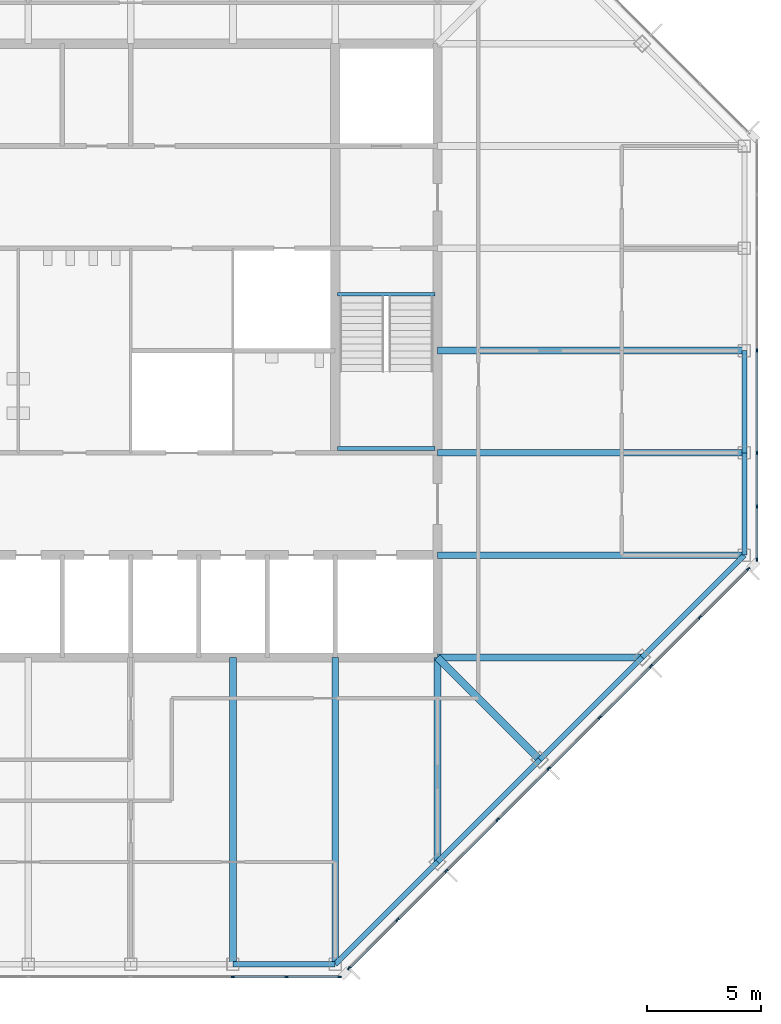
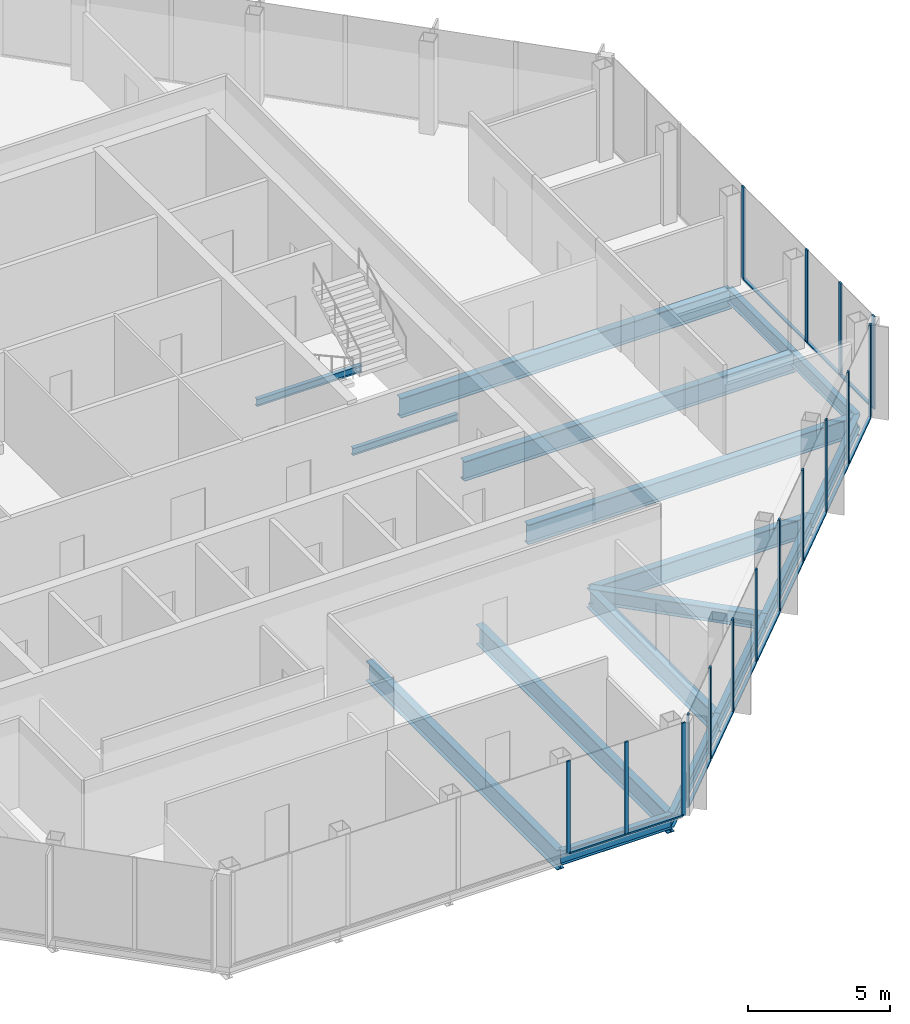
# One storey, part 4 of 14: 29 members, 17 beams, 3 elements without a shape of their own.
"""IFC4 building model written with IfcOpenShell, lengths in metres."""

from ifc_helpers import new_model, si_unit, direction, frame, origin, origin_2d, place, context, subcontext, project, spatial, rectangle, i_section, extrude, material, material_profile, profile_set, type_object, element, aggregate, save


model = new_model("IFC4")

# Units and contexts
model_context = context("Model", 3, precision=1e-05, world=origin(), true_north=direction((0.0, 1.0)))
body_context = subcontext(model_context, "Body", "Model", "MODEL_VIEW")
ifc_project = project(units=[si_unit("LENGTHUNIT", "METRE"), si_unit("AREAUNIT", "SQUARE_METRE"), si_unit("VOLUMEUNIT", "CUBIC_METRE"), si_unit("PLANEANGLEUNIT", "RADIAN"), si_unit("MASSUNIT", "GRAM", prefix="KILO")], contexts=[model_context])

# Site, building, storey
site_placement = place(None, origin())
site = spatial("IfcSite", under=ifc_project, at=site_placement, CompositionType="ELEMENT")
building_placement = place(site_placement, origin())
building = spatial("IfcBuilding", under=site, at=building_placement, Name="Corais Broadcast Tower", CompositionType="ELEMENT")
storey_placement = place(building_placement, frame((0.0, 0.0, 294.60009765625)))
storey = spatial("IfcBuildingStorey", under=building, at=storey_placement, Name="L69", CompositionType="ELEMENT", Elevation=294.60009765625)

# Beams
ifc_material_1 = material(Name="Steel ASTM A572 Grade 50", Category="steel")
ifc_material_profile_1 = material_profile(ifc_material_1, i_section(OverallWidth=0.323974609375, OverallDepth=0.611083984375, WebThickness=0.0126953125, FlangeThickness=0.01904296875, at=origin_2d()), Name="W610x155")
ifc_profile_set_1 = profile_set([ifc_material_profile_1], Name="Steel ASTM A572 Grade 50")
beam_type_1 = type_object("IfcBeamType", Name="Corner diagonal W610x155", PredefinedType="BEAM", material=ifc_profile_set_1)
beam_1_placement = place(storey_placement, frame((45.0, 9.0, -0.465576171875), z_axis=(-0.707106781187, 0.707106781187, 0.0), x_axis=(-0.707106781187, -0.707106781187, 0.0)))
element("IfcBeam", 1, at=beam_1_placement, inside=storey, type_object=beam_type_1, Name="B6 C/13 to D/12", PredefinedType="BEAM", context=body_context, shape_type="SweptSolid", body=[
    extrude(i_section(OverallWidth=0.323974609375, OverallDepth=0.611083984375, WebThickness=0.0126953125, FlangeThickness=0.01904296875, at=origin_2d()), origin(), (0.0, 0.0, 1.0), 6.364013671875),
])
ifc_material_2 = material(Name="Steel ASTM A572 Grade 50", Category="steel")
ifc_material_profile_2 = material_profile(ifc_material_2, i_section(OverallWidth=0.2939453125, OverallDepth=0.85107421875, WebThickness=0.01611328125, FlangeThickness=0.02685546875, at=origin_2d()), Name="W840x226")
ifc_profile_set_2 = profile_set([ifc_material_profile_2], Name="Steel ASTM A572 Grade 50")
beam_type_2 = type_object("IfcBeamType", Name="Floor beam W840x226", PredefinedType="BEAM", material=ifc_profile_set_2)
for number, where, z_axis, x_axis, name in (
    (2, (31.5, 0.0, -0.585693359375), (0.0, 1.0, 0.0), (-1.0, 0.0, 0.0), "B1 A/10 to D/10"),
    (3, (36.0, 0.0, -0.585693359375), (0.0, 1.0, 0.0), (-1.0, 0.0, 0.0), "B1 A/11 to D/11"),
):
    element("IfcBeam", number, at=place(storey_placement, frame(where, z_axis=z_axis, x_axis=x_axis)), inside=storey, type_object=beam_type_2, Name=name, PredefinedType="BEAM", context=body_context, shape_type="SweptSolid", body=[
        extrude(i_section(OverallWidth=0.2939453125, OverallDepth=0.85107421875, WebThickness=0.01611328125, FlangeThickness=0.02685546875, at=origin_2d()), origin(), (0.0, 0.0, 1.0), 13.5),
    ])
for number, where, z_axis, x_axis, name in (
    (4, (40.5, 4.5, -0.585693359375), (0.0, 1.0, 0.0), (-1.0, 0.0, 0.0), "B1 B/12 to D/12"),
    (5, (49.5, 13.5, -0.585693359375), (-1.0, 0.0, 0.0), (0.0, -1.0, 0.0), "B1 D/14 to D/12"),
):
    element("IfcBeam", number, at=place(storey_placement, frame(where, z_axis=z_axis, x_axis=x_axis)), inside=storey, type_object=beam_type_2, Name=name, PredefinedType="BEAM", context=body_context, shape_type="SweptSolid", body=[
        extrude(i_section(OverallWidth=0.2939453125, OverallDepth=0.85107421875, WebThickness=0.01611328125, FlangeThickness=0.02685546875, at=origin_2d()), origin(), (0.0, 0.0, 1.0), 9.0),
    ])
for number, where, z_axis, x_axis, name in (
    (6, (54.0, 18.0, -0.585693359375), (-1.0, 0.0, 0.0), (0.0, -1.0, 0.0), "B1 E/15 to E/12"),
    (7, (54.0, 22.5, -0.585693359375), (-1.0, 0.0, 0.0), (0.0, -1.0, 0.0), "B1 F/15 to F/12"),
    (8, (54.0, 27.0, -0.585693359375), (-1.0, 0.0, 0.0), (0.0, -1.0, 0.0), "B1 G/15 to G/12"),
):
    element("IfcBeam", number, at=place(storey_placement, frame(where, z_axis=z_axis, x_axis=x_axis)), inside=storey, type_object=beam_type_2, Name=name, PredefinedType="BEAM", context=body_context, shape_type="SweptSolid", body=[
        extrude(i_section(OverallWidth=0.2939453125, OverallDepth=0.85107421875, WebThickness=0.01611328125, FlangeThickness=0.02685546875, at=origin_2d()), origin(), (0.0, 0.0, 1.0), 13.5),
    ])
ifc_material_3 = material(Name="Steel ASTM A572 Grade 50", Category="steel")
ifc_material_profile_3 = material_profile(ifc_material_3, i_section(OverallWidth=0.1650390625, OverallDepth=0.31005859375, WebThickness=0.005859375, FlangeThickness=0.009765625, at=origin_2d()), Name="W310x38.7")
ifc_profile_set_3 = profile_set([ifc_material_profile_3], Name="Steel ASTM A572 Grade 50")
beam_type_3 = type_object("IfcBeamType", Name="Landing trimmer W310x38.7", PredefinedType="BEAM", material=ifc_profile_set_3)
for number, where, z_axis, x_axis, name in (
    (9, (36.10009765625, 29.47509765625, -0.35498046875), (1.0, 0.0, 0.0), (0.0, 1.0, 0.0), "LT1 stair B landing trimmer L69"),
    (10, (36.10009765625, 22.68994140625, 1.64501953125), (1.0, 0.0, 0.0), (0.0, 1.0, 0.0), "LT1 stair B half landing trimmer L69"),
):
    element("IfcBeam", number, at=place(storey_placement, frame(where, z_axis=z_axis, x_axis=x_axis)), inside=storey, type_object=beam_type_3, Name=name, PredefinedType="BEAM", context=body_context, shape_type="SweptSolid", body=[
        extrude(i_section(OverallWidth=0.1650390625, OverallDepth=0.31005859375, WebThickness=0.005859375, FlangeThickness=0.009765625, at=origin_2d()), origin(), (0.0, 0.0, 1.0), 4.2998046875),
    ])

# Curtain wall, members
ifc_material_4 = material(Name="Aluminium and glass", Category="aluminium")
curtain_wall_type = type_object("IfcCurtainWallType", Name="Unitised fritted curtain wall CW3", PredefinedType="NOTDEFINED", material=ifc_material_4)
curtain_wall_1_placement = place(storey_placement, origin())
curtain_wall_1 = element("IfcCurtainWall", 11, at=curtain_wall_1_placement, inside=storey, type_object=curtain_wall_type, Name="CW3 curtain wall L69 6", PredefinedType="NOTDEFINED")
ifc_material_5 = material(Name="Aluminium 6063-T6", Category="aluminium")
ifc_material_profile_4 = material_profile(ifc_material_5, rectangle(XDim=0.06494140625, YDim=0.159912109375, at=origin_2d()), Name="Mullion CW3 65x160")
ifc_profile_set_4 = profile_set([ifc_material_profile_4], Name="Aluminium 6063-T6")
member_type_1 = type_object("IfcMemberType", Name="Mullion CW3 65x160", PredefinedType="MULLION", material=ifc_profile_set_4)
member_1_placement = place(storey_placement, frame((54.550048828125, 27.0, 0.0), z_axis=(0.0, 0.0, 1.0), x_axis=(1.0, 0.0, 0.0)))
member_1 = element("IfcMember", 12, at=member_1_placement, type_object=member_type_1, Name="CW3 mullion 4", PredefinedType="MULLION", context=body_context, shape_type="SweptSolid", body=[
    extrude(rectangle(XDim=0.06494140625, YDim=0.159912109375, at=origin_2d()), origin(), (0.0, 0.0, 1.0), 4.0),
])
member_2_placement = place(storey_placement, frame((54.550048828125, 22.5, 0.0), z_axis=(0.0, 0.0, 1.0), x_axis=(1.0, 0.0, 0.0)))
member_2 = element("IfcMember", 13, at=member_2_placement, type_object=member_type_1, Name="CW3 mullion 5", PredefinedType="MULLION", context=body_context, shape_type="SweptSolid", body=[
    extrude(rectangle(XDim=0.06494140625, YDim=0.159912109375, at=origin_2d()), origin(), (0.0, 0.0, 1.0), 4.0),
])
member_3_placement = place(storey_placement, frame((54.550048828125, 20.135986328125, 0.0), z_axis=(0.0, 0.0, 1.0), x_axis=(1.0, 0.0, 0.0)))
member_3 = element("IfcMember", 14, at=member_3_placement, type_object=member_type_1, Name="CW3 mullion 6", PredefinedType="MULLION", context=body_context, shape_type="SweptSolid", body=[
    extrude(rectangle(XDim=0.06494140625, YDim=0.159912109375, at=origin_2d()), origin(), (0.0, 0.0, 1.0), 4.0),
])
member_4_placement = place(storey_placement, frame((54.550048828125, 17.8046875, 0.0), z_axis=(0.0, 0.0, 1.0), x_axis=(1.0, 0.0, 0.0)))
member_4 = element("IfcMember", 15, at=member_4_placement, type_object=member_type_1, Name="CW3 mullion 7", PredefinedType="MULLION", context=body_context, shape_type="SweptSolid", body=[
    extrude(rectangle(XDim=0.06494140625, YDim=0.159912109375, at=origin_2d()), origin(), (0.0, 0.0, 1.0), 4.0),
])

curtain_wall_2_placement = place(storey_placement, origin())
curtain_wall_2 = element("IfcCurtainWall", 16, at=curtain_wall_2_placement, inside=storey, type_object=curtain_wall_type, Name="CW3 curtain wall L69 7", PredefinedType="NOTDEFINED")
member_5_placement = place(storey_placement, frame((54.17333984375, 17.3955078125, 0.0), z_axis=(0.0, 0.0, 1.0), x_axis=(0.707106781187, -0.707106781187, 0.0)))
member_5 = element("IfcMember", 17, at=member_5_placement, type_object=member_type_1, Name="CW3 mullion 1", PredefinedType="MULLION", context=body_context, shape_type="SweptSolid", body=[
    extrude(rectangle(XDim=0.06494140625, YDim=0.159912109375, at=origin_2d()), origin(), (0.0, 0.0, 1.0), 4.0),
])
member_6_placement = place(storey_placement, frame((52.042724609375, 15.264892578125, 0.0), z_axis=(0.0, 0.0, 1.0), x_axis=(0.707106781187, -0.707106781187, 0.0)))
member_6 = element("IfcMember", 18, at=member_6_placement, type_object=member_type_1, Name="CW3 mullion 2", PredefinedType="MULLION", context=body_context, shape_type="SweptSolid", body=[
    extrude(rectangle(XDim=0.06494140625, YDim=0.159912109375, at=origin_2d()), origin(), (0.0, 0.0, 1.0), 4.0),
])
member_7_placement = place(storey_placement, frame((49.888916015625, 13.111083984375, 0.0), z_axis=(0.0, 0.0, 1.0), x_axis=(0.707106781187, -0.707106781187, 0.0)))
member_7 = element("IfcMember", 19, at=member_7_placement, type_object=member_type_1, Name="CW3 mullion 3", PredefinedType="MULLION", context=body_context, shape_type="SweptSolid", body=[
    extrude(rectangle(XDim=0.06494140625, YDim=0.159912109375, at=origin_2d()), origin(), (0.0, 0.0, 1.0), 4.0),
])
member_8_placement = place(storey_placement, frame((47.638916015625, 10.861083984375, 0.0), z_axis=(0.0, 0.0, 1.0), x_axis=(0.707106781187, -0.707106781187, 0.0)))
member_8 = element("IfcMember", 20, at=member_8_placement, type_object=member_type_1, Name="CW3 mullion 4", PredefinedType="MULLION", context=body_context, shape_type="SweptSolid", body=[
    extrude(rectangle(XDim=0.06494140625, YDim=0.159912109375, at=origin_2d()), origin(), (0.0, 0.0, 1.0), 4.0),
])
member_9_placement = place(storey_placement, frame((45.388916015625, 8.611083984375, 0.0), z_axis=(0.0, 0.0, 1.0), x_axis=(0.707106781187, -0.707106781187, 0.0)))
member_9 = element("IfcMember", 21, at=member_9_placement, type_object=member_type_1, Name="CW3 mullion 5", PredefinedType="MULLION", context=body_context, shape_type="SweptSolid", body=[
    extrude(rectangle(XDim=0.06494140625, YDim=0.159912109375, at=origin_2d()), origin(), (0.0, 0.0, 1.0), 4.0),
])
member_10_placement = place(storey_placement, frame((43.138916015625, 6.361083984375, 0.0), z_axis=(0.0, 0.0, 1.0), x_axis=(0.707106781187, -0.707106781187, 0.0)))
member_10 = element("IfcMember", 22, at=member_10_placement, type_object=member_type_1, Name="CW3 mullion 6", PredefinedType="MULLION", context=body_context, shape_type="SweptSolid", body=[
    extrude(rectangle(XDim=0.06494140625, YDim=0.159912109375, at=origin_2d()), origin(), (0.0, 0.0, 1.0), 4.0),
])
member_11_placement = place(storey_placement, frame((40.888916015625, 4.111083984375, 0.0), z_axis=(0.0, 0.0, 1.0), x_axis=(0.707106781187, -0.707106781187, 0.0)))
member_11 = element("IfcMember", 23, at=member_11_placement, type_object=member_type_1, Name="CW3 mullion 7", PredefinedType="MULLION", context=body_context, shape_type="SweptSolid", body=[
    extrude(rectangle(XDim=0.06494140625, YDim=0.159912109375, at=origin_2d()), origin(), (0.0, 0.0, 1.0), 4.0),
])
member_12_placement = place(storey_placement, frame((38.735107421875, 1.957275390625, 0.0), z_axis=(0.0, 0.0, 1.0), x_axis=(0.707106781187, -0.707106781187, 0.0)))
member_12 = element("IfcMember", 24, at=member_12_placement, type_object=member_type_1, Name="CW3 mullion 8", PredefinedType="MULLION", context=body_context, shape_type="SweptSolid", body=[
    extrude(rectangle(XDim=0.06494140625, YDim=0.159912109375, at=origin_2d()), origin(), (0.0, 0.0, 1.0), 4.0),
])
member_13_placement = place(storey_placement, frame((36.6044921875, -0.17333984375, 0.0), z_axis=(0.0, 0.0, 1.0), x_axis=(0.707106781187, -0.707106781187, 0.0)))
member_13 = element("IfcMember", 25, at=member_13_placement, type_object=member_type_1, Name="CW3 mullion 9", PredefinedType="MULLION", context=body_context, shape_type="SweptSolid", body=[
    extrude(rectangle(XDim=0.06494140625, YDim=0.159912109375, at=origin_2d()), origin(), (0.0, 0.0, 1.0), 4.0),
])

curtain_wall_3_placement = place(storey_placement, origin())
curtain_wall_3 = element("IfcCurtainWall", 26, at=curtain_wall_3_placement, inside=storey, type_object=curtain_wall_type, Name="CW3 curtain wall L69 8", PredefinedType="NOTDEFINED")
member_14_placement = place(storey_placement, frame((36.1953125, -0.550048828125, 0.0), z_axis=(0.0, 0.0, 1.0), x_axis=(0.0, -1.0, 0.0)))
member_14 = element("IfcMember", 27, at=member_14_placement, type_object=member_type_1, Name="CW3 mullion 1", PredefinedType="MULLION", context=body_context, shape_type="SweptSolid", body=[
    extrude(rectangle(XDim=0.06494140625, YDim=0.159912109375, at=origin_2d()), origin(), (0.0, 0.0, 1.0), 4.0),
])
member_15_placement = place(storey_placement, frame((33.864013671875, -0.550048828125, 0.0), z_axis=(0.0, 0.0, 1.0), x_axis=(0.0, -1.0, 0.0)))
member_15 = element("IfcMember", 28, at=member_15_placement, type_object=member_type_1, Name="CW3 mullion 2", PredefinedType="MULLION", context=body_context, shape_type="SweptSolid", body=[
    extrude(rectangle(XDim=0.06494140625, YDim=0.159912109375, at=origin_2d()), origin(), (0.0, 0.0, 1.0), 4.0),
])
member_16_placement = place(storey_placement, frame((31.5, -0.550048828125, 0.0), z_axis=(0.0, 0.0, 1.0), x_axis=(0.0, -1.0, 0.0)))
member_16 = element("IfcMember", 29, at=member_16_placement, type_object=member_type_1, Name="CW3 mullion 3", PredefinedType="MULLION", context=body_context, shape_type="SweptSolid", body=[
    extrude(rectangle(XDim=0.06494140625, YDim=0.159912109375, at=origin_2d()), origin(), (0.0, 0.0, 1.0), 4.0),
])

# Beams
ifc_material_6 = material(Name="Steel ASTM A572 Grade 50", Category="steel")
ifc_material_profile_5 = material_profile(ifc_material_6, i_section(OverallWidth=0.22998046875, OverallDepth=0.616943359375, WebThickness=0.01318359375, FlangeThickness=0.022216796875, at=origin_2d()), Name="W610x140")
ifc_profile_set_5 = profile_set([ifc_material_profile_5], Name="Steel ASTM A572 Grade 50")
beam_type_4 = type_object("IfcBeamType", Name="Spandrel W610x140", PredefinedType="BEAM", material=ifc_profile_set_5)
beam_2_placement = place(storey_placement, frame((31.5, 0.0, -0.468505859375), z_axis=(1.0, 0.0, 0.0), x_axis=(0.0, 1.0, 0.0)))
element("IfcBeam", 30, at=beam_2_placement, inside=storey, type_object=beam_type_4, Name="SB3 A/10 to A/11", PredefinedType="BEAM", context=body_context, shape_type="SweptSolid", body=[
    extrude(i_section(OverallWidth=0.22998046875, OverallDepth=0.616943359375, WebThickness=0.01318359375, FlangeThickness=0.022216796875, at=origin_2d()), origin(), (0.0, 0.0, 1.0), 4.5),
])
for number, where, z_axis, x_axis, name in (
    (31, (36.0, 0.0, -0.468505859375), (0.707106781187, 0.707106781187, 0.0), (-0.707106781187, 0.707106781187, 0.0), "SB3 A/11 to B/12"),
    (32, (40.5, 4.5, -0.468505859375), (0.707106781187, 0.707106781187, 0.0), (-0.707106781187, 0.707106781187, 0.0), "SB3 B/12 to C/13"),
    (33, (45.0, 9.0, -0.468505859375), (0.707106781187, 0.707106781187, 0.0), (-0.707106781187, 0.707106781187, 0.0), "SB3 C/13 to D/14"),
    (34, (49.5, 13.5, -0.468505859375), (0.707106781187, 0.707106781187, 0.0), (-0.707106781187, 0.707106781187, 0.0), "SB3 D/14 to E/15"),
):
    element("IfcBeam", number, at=place(storey_placement, frame(where, z_axis=z_axis, x_axis=x_axis)), inside=storey, type_object=beam_type_4, Name=name, PredefinedType="BEAM", context=body_context, shape_type="SweptSolid", body=[
        extrude(i_section(OverallWidth=0.22998046875, OverallDepth=0.616943359375, WebThickness=0.01318359375, FlangeThickness=0.022216796875, at=origin_2d()), origin(), (0.0, 0.0, 1.0), 6.364013671875),
    ])
for number, where, z_axis, x_axis, name in (
    (35, (54.0, 18.0, -0.468505859375), (0.0, 1.0, 0.0), (-1.0, 0.0, 0.0), "SB3 E/15 to F/15"),
    (36, (54.0, 22.5, -0.468505859375), (0.0, 1.0, 0.0), (-1.0, 0.0, 0.0), "SB3 F/15 to G/15"),
):
    element("IfcBeam", number, at=place(storey_placement, frame(where, z_axis=z_axis, x_axis=x_axis)), inside=storey, type_object=beam_type_4, Name=name, PredefinedType="BEAM", context=body_context, shape_type="SweptSolid", body=[
        extrude(i_section(OverallWidth=0.22998046875, OverallDepth=0.616943359375, WebThickness=0.01318359375, FlangeThickness=0.022216796875, at=origin_2d()), origin(), (0.0, 0.0, 1.0), 4.5),
    ])

# Member
ifc_material_7 = material(Name="Aluminium 6063-T6", Category="aluminium")
ifc_material_profile_6 = material_profile(ifc_material_7, rectangle(XDim=0.1201171875, YDim=0.06494140625, at=origin_2d()), Name="Transom CW3 65x120")
ifc_profile_set_6 = profile_set([ifc_material_profile_6], Name="Aluminium 6063-T6")
member_type_2 = type_object("IfcMemberType", Name="Transom CW3 65x120", PredefinedType="USERDEFINED", material=ifc_profile_set_6)
member_17_placement = place(storey_placement, frame((54.550048828125, 26.967529296875, 0.032470703125), z_axis=(0.0, -1.0, 0.0), x_axis=(1.0, 0.0, 0.0)))
member_17 = element("IfcMember", 37, at=member_17_placement, type_object=member_type_2, Name="CW3 transom 4.1", ObjectType="TRANSOM", PredefinedType="USERDEFINED", context=body_context, shape_type="SweptSolid", body=[
    extrude(rectangle(XDim=0.1201171875, YDim=0.06494140625, at=origin_2d()), origin(), (0.0, 0.0, 1.0), 4.43505859375),
])

member_18_placement = place(storey_placement, frame((54.550048828125, 22.467529296875, 0.032470703125), z_axis=(0.0, -1.0, 0.0), x_axis=(1.0, 0.0, 0.0)))
member_18 = element("IfcMember", 38, at=member_18_placement, type_object=member_type_2, Name="CW3 transom 5.1", ObjectType="TRANSOM", PredefinedType="USERDEFINED", context=body_context, shape_type="SweptSolid", body=[
    extrude(rectangle(XDim=0.1201171875, YDim=0.06494140625, at=origin_2d()), origin(), (0.0, 0.0, 1.0), 2.298828125),
])

member_19_placement = place(storey_placement, frame((54.550048828125, 20.103515625, 0.032470703125), z_axis=(0.0, -1.0, 0.0), x_axis=(1.0, 0.0, 0.0)))
member_19 = element("IfcMember", 39, at=member_19_placement, type_object=member_type_2, Name="CW3 transom 6.1", ObjectType="TRANSOM", PredefinedType="USERDEFINED", context=body_context, shape_type="SweptSolid", body=[
    extrude(rectangle(XDim=0.1201171875, YDim=0.06494140625, at=origin_2d()), origin(), (0.0, 0.0, 1.0), 2.266357421875),
])

aggregate(curtain_wall_1, [member_1, member_2, member_3, member_4, member_17, member_18, member_19])

member_20_placement = place(storey_placement, frame((54.150390625, 17.37255859375, 0.032470703125), z_axis=(-0.707106781187, -0.707106781187, 0.0), x_axis=(0.707106781187, -0.707106781187, 0.0)))
member_20 = element("IfcMember", 40, at=member_20_placement, type_object=member_type_2, Name="CW3 transom 1.1", ObjectType="TRANSOM", PredefinedType="USERDEFINED", context=body_context, shape_type="SweptSolid", body=[
    extrude(rectangle(XDim=0.1201171875, YDim=0.06494140625, at=origin_2d()), origin(), (0.0, 0.0, 1.0), 2.9482421875),
])

member_21_placement = place(storey_placement, frame((52.019775390625, 15.241943359375, 0.032470703125), z_axis=(-0.707106781187, -0.707106781187, 0.0), x_axis=(0.707106781187, -0.707106781187, 0.0)))
member_21 = element("IfcMember", 41, at=member_21_placement, type_object=member_type_2, Name="CW3 transom 2.1", ObjectType="TRANSOM", PredefinedType="USERDEFINED", context=body_context, shape_type="SweptSolid", body=[
    extrude(rectangle(XDim=0.1201171875, YDim=0.06494140625, at=origin_2d()), origin(), (0.0, 0.0, 1.0), 2.98095703125),
])

member_22_placement = place(storey_placement, frame((49.865966796875, 13.088134765625, 0.032470703125), z_axis=(-0.707106781187, -0.707106781187, 0.0), x_axis=(0.707106781187, -0.707106781187, 0.0)))
member_22 = element("IfcMember", 42, at=member_22_placement, type_object=member_type_2, Name="CW3 transom 3.1", ObjectType="TRANSOM", PredefinedType="USERDEFINED", context=body_context, shape_type="SweptSolid", body=[
    extrude(rectangle(XDim=0.1201171875, YDim=0.06494140625, at=origin_2d()), origin(), (0.0, 0.0, 1.0), 3.1171875),
])

member_23_placement = place(storey_placement, frame((47.615966796875, 10.838134765625, 0.032470703125), z_axis=(-0.707106781187, -0.707106781187, 0.0), x_axis=(0.707106781187, -0.707106781187, 0.0)))
member_23 = element("IfcMember", 43, at=member_23_placement, type_object=member_type_2, Name="CW3 transom 4.1", ObjectType="TRANSOM", PredefinedType="USERDEFINED", context=body_context, shape_type="SweptSolid", body=[
    extrude(rectangle(XDim=0.1201171875, YDim=0.06494140625, at=origin_2d()), origin(), (0.0, 0.0, 1.0), 3.1171875),
])

member_24_placement = place(storey_placement, frame((45.365966796875, 8.588134765625, 0.032470703125), z_axis=(-0.707106781187, -0.707106781187, 0.0), x_axis=(0.707106781187, -0.707106781187, 0.0)))
member_24 = element("IfcMember", 44, at=member_24_placement, type_object=member_type_2, Name="CW3 transom 5.1", ObjectType="TRANSOM", PredefinedType="USERDEFINED", context=body_context, shape_type="SweptSolid", body=[
    extrude(rectangle(XDim=0.1201171875, YDim=0.06494140625, at=origin_2d()), origin(), (0.0, 0.0, 1.0), 3.1171875),
])

member_25_placement = place(storey_placement, frame((43.115966796875, 6.338134765625, 0.032470703125), z_axis=(-0.707106781187, -0.707106781187, 0.0), x_axis=(0.707106781187, -0.707106781187, 0.0)))
member_25 = element("IfcMember", 45, at=member_25_placement, type_object=member_type_2, Name="CW3 transom 6.1", ObjectType="TRANSOM", PredefinedType="USERDEFINED", context=body_context, shape_type="SweptSolid", body=[
    extrude(rectangle(XDim=0.1201171875, YDim=0.06494140625, at=origin_2d()), origin(), (0.0, 0.0, 1.0), 3.1171875),
])

member_26_placement = place(storey_placement, frame((40.865966796875, 4.088134765625, 0.032470703125), z_axis=(-0.70714773134, -0.707065828661, 0.0), x_axis=(0.707065828661, -0.70714773134, 0.0)))
member_26 = element("IfcMember", 46, at=member_26_placement, type_object=member_type_2, Name="CW3 transom 7.1", ObjectType="TRANSOM", PredefinedType="USERDEFINED", context=body_context, shape_type="SweptSolid", body=[
    extrude(rectangle(XDim=0.1201171875, YDim=0.06494140625, at=origin_2d()), origin(), (0.0, 0.0, 1.0), 2.98095703125),
])

member_27_placement = place(storey_placement, frame((38.712158203125, 1.934326171875, 0.032470703125), z_axis=(-0.707106781187, -0.707106781187, 0.0), x_axis=(0.707106781187, -0.707106781187, 0.0)))
member_27 = element("IfcMember", 47, at=member_27_placement, type_object=member_type_2, Name="CW3 transom 8.1", ObjectType="TRANSOM", PredefinedType="USERDEFINED", context=body_context, shape_type="SweptSolid", body=[
    extrude(rectangle(XDim=0.1201171875, YDim=0.06494140625, at=origin_2d()), origin(), (0.0, 0.0, 1.0), 2.9482421875),
])

aggregate(curtain_wall_2, [member_5, member_6, member_7, member_8, member_9, member_10, member_11, member_12, member_13, member_20, member_21, member_22, member_23, member_24, member_25, member_26, member_27])

member_28_placement = place(storey_placement, frame((36.162841796875, -0.550048828125, 0.032470703125), z_axis=(-1.0, 0.0, 0.0), x_axis=(0.0, -1.0, 0.0)))
member_28 = element("IfcMember", 48, at=member_28_placement, type_object=member_type_2, Name="CW3 transom 1.1", ObjectType="TRANSOM", PredefinedType="USERDEFINED", context=body_context, shape_type="SweptSolid", body=[
    extrude(rectangle(XDim=0.1201171875, YDim=0.06494140625, at=origin_2d()), origin(), (0.0, 0.0, 1.0), 2.266357421875),
])

member_29_placement = place(storey_placement, frame((33.831298828125, -0.550048828125, 0.032470703125), z_axis=(-1.0, 0.0, 0.0), x_axis=(0.0, -1.0, 0.0)))
member_29 = element("IfcMember", 49, at=member_29_placement, type_object=member_type_2, Name="CW3 transom 2.1", ObjectType="TRANSOM", PredefinedType="USERDEFINED", context=body_context, shape_type="SweptSolid", body=[
    extrude(rectangle(XDim=0.1201171875, YDim=0.06494140625, at=origin_2d()), origin(), (0.0, 0.0, 1.0), 2.298828125),
])

aggregate(curtain_wall_3, [member_14, member_15, member_16, member_28, member_29])

save(model, "model.ifc")
